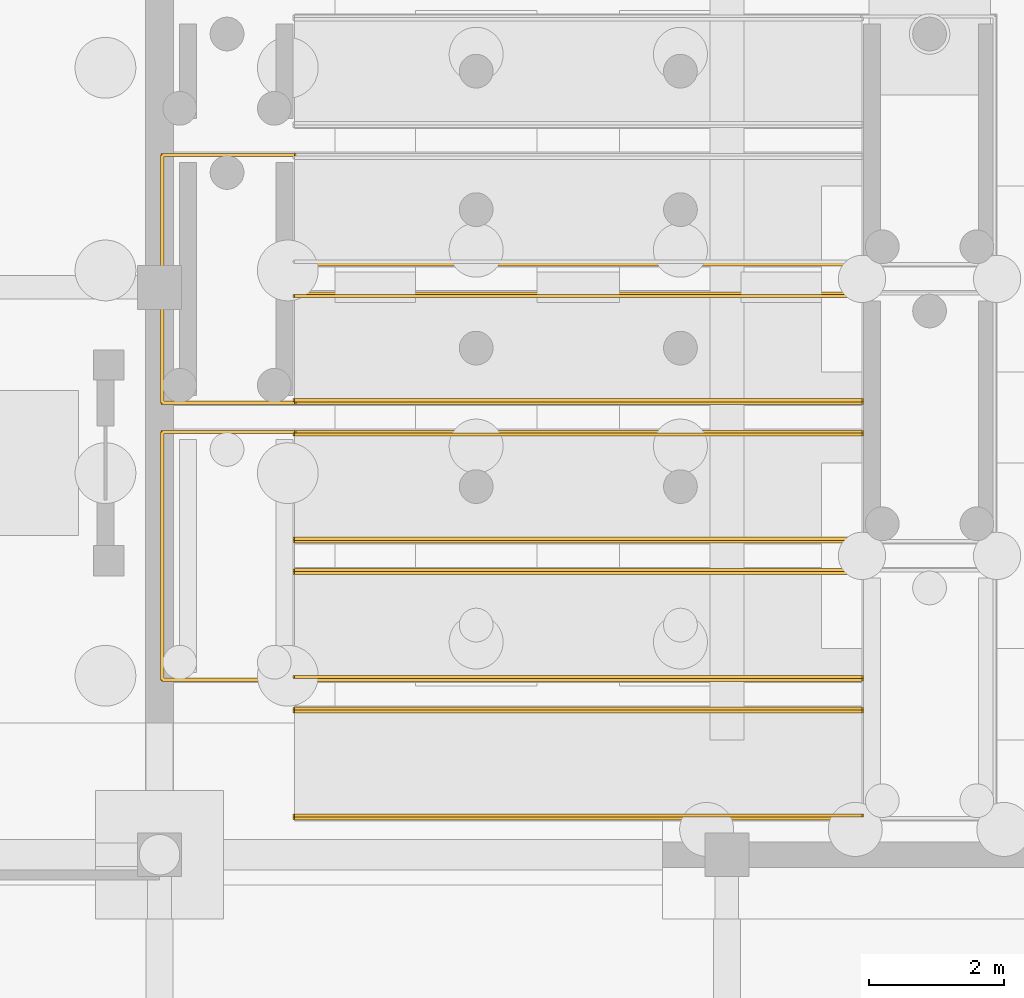
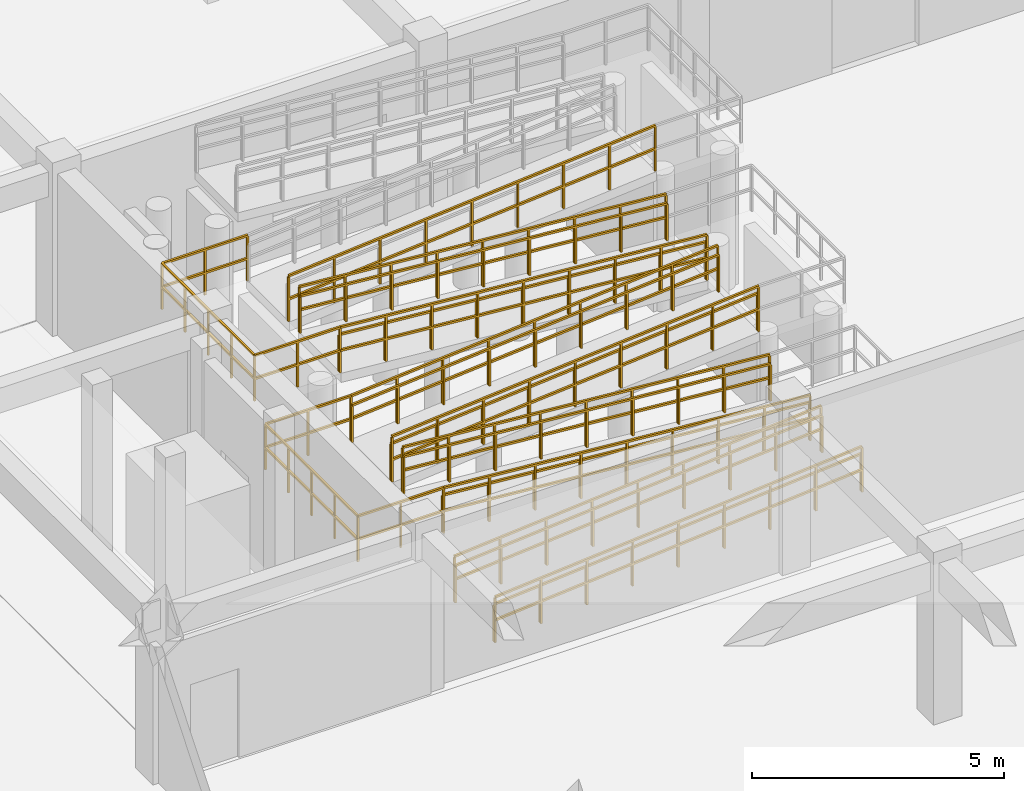
# One storey, part 34 of 40: 19 railings.
"""IFC4 building model written with IfcOpenShell, lengths in metres."""

from ifc_helpers import new_model, si_unit, direction, frame, origin, origin_2d, place, context, subcontext, project, spatial, rectangle, extrude, material, type_object, element, save


model = new_model("IFC4")

# Units and contexts
model_context = context("Model", 3, precision=1e-05, world=origin(), true_north=direction((0.0, 1.0)))
body_context = subcontext(model_context, "Body", "Model", "MODEL_VIEW")
ifc_project = project(units=[si_unit("LENGTHUNIT", "METRE"), si_unit("AREAUNIT", "SQUARE_METRE"), si_unit("VOLUMEUNIT", "CUBIC_METRE"), si_unit("PLANEANGLEUNIT", "RADIAN"), si_unit("MASSUNIT", "GRAM", prefix="KILO"), si_unit("THERMODYNAMICTEMPERATUREUNIT", "KELVIN")], contexts=[model_context])

# Site, building, storey
site_placement = place(None, origin())
site = spatial("IfcSite", under=ifc_project, at=site_placement, CompositionType="ELEMENT")
building_placement = place(site_placement, origin())
building = spatial("IfcBuilding", under=site, at=building_placement, Name="Thalorik Housing Commons", CompositionType="ELEMENT")
storey_placement = place(building_placement, frame((0.0, 0.0, -4.199951171875)))
storey = spatial("IfcBuildingStorey", under=building, at=storey_placement, Name="B1", CompositionType="ELEMENT", Elevation=-4.199951171875)

# Railings
ifc_material = material(Name="Steel S355", Category="steel")
railing_type_1 = type_object("IfcRailingType", Name="ARC-RL-RAMP-092", PredefinedType="HANDRAIL", material=ifc_material)
for number, where, name in (
    (1, (30.800048828125, 58.179931640625, 0.0), "Metro Ramp Flight 1 S Handrail"),
    (2, (30.800048828125, 59.719970703125, 0.0), "Metro Ramp Flight 1 N Handrail"),
):
    element("IfcRailing", number, at=place(storey_placement, frame(where)), inside=storey, type_object=railing_type_1, Name=name, PredefinedType="HANDRAIL", context=body_context, shape_type="SweptSolid", body=[
        extrude(rectangle(XDim=0.048095703125, YDim=0.048095703125, at=origin_2d()), frame((0.0, 0.0, 0.89599609375), z_axis=(0.996546157741, 0.0, 0.08304068576), x_axis=(0.0, 1.0, 0.0)), (0.0, 0.0, 1.0), 8.428955078125),
        extrude(rectangle(XDim=0.0419921875, YDim=0.0419921875, at=origin_2d()), origin(), (0.0, 0.0, 1.0), 0.871826171875),
        extrude(rectangle(XDim=0.0419921875, YDim=0.0419921875, at=origin_2d()), frame((1.050048828125, 0.0, 0.08740234375)), (0.0, 0.0, 1.0), 0.871826171875),
        extrude(rectangle(XDim=0.0419921875, YDim=0.0419921875, at=origin_2d()), frame((2.10009765625, 0.0, 0.175048828125)), (0.0, 0.0, 1.0), 0.871826171875),
        extrude(rectangle(XDim=0.0419921875, YDim=0.0419921875, at=origin_2d()), frame((3.14990234375, 0.0, 0.262451171875)), (0.0, 0.0, 1.0), 0.871826171875),
        extrude(rectangle(XDim=0.0419921875, YDim=0.0419921875, at=origin_2d()), frame((4.199951171875, 0.0, 0.35009765625)), (0.0, 0.0, 1.0), 0.871826171875),
        extrude(rectangle(XDim=0.0419921875, YDim=0.0419921875, at=origin_2d()), frame((5.25, 0.0, 0.4375)), (0.0, 0.0, 1.0), 0.871826171875),
        extrude(rectangle(XDim=0.0419921875, YDim=0.0419921875, at=origin_2d()), frame((6.2998046875, 0.0, 0.52490234375)), (0.0, 0.0, 1.0), 0.871826171875),
        extrude(rectangle(XDim=0.0419921875, YDim=0.0419921875, at=origin_2d()), frame((7.349853515625, 0.0, 0.612548828125)), (0.0, 0.0, 1.0), 0.871826171875),
        extrude(rectangle(XDim=0.0419921875, YDim=0.0419921875, at=origin_2d()), frame((8.39990234375, 0.0, 0.699951171875)), (0.0, 0.0, 1.0), 0.871826171875),
    ])
for number, where, name in (
    (3, (39.199951171875, 60.22998046875, 0.699951171875), "Metro Ramp Flight 2 S Handrail"),
    (4, (39.199951171875, 61.77001953125, 0.699951171875), "Metro Ramp Flight 2 N Handrail"),
):
    element("IfcRailing", number, at=place(storey_placement, frame(where)), inside=storey, type_object=railing_type_1, Name=name, PredefinedType="HANDRAIL", context=body_context, shape_type="SweptSolid", body=[
        extrude(rectangle(XDim=0.048095703125, YDim=0.048095703125, at=origin_2d()), frame((0.0, 0.0, 0.89599609375), z_axis=(-0.996546157741, 0.0, 0.08304068576), x_axis=(0.0, -1.0, 0.0)), (0.0, 0.0, 1.0), 8.428955078125),
        extrude(rectangle(XDim=0.0419921875, YDim=0.0419921875, at=origin_2d()), origin(), (0.0, 0.0, 1.0), 0.871826171875),
        extrude(rectangle(XDim=0.0419921875, YDim=0.0419921875, at=origin_2d()), frame((-1.050048828125, 0.0, 0.08740234375)), (0.0, 0.0, 1.0), 0.871826171875),
        extrude(rectangle(XDim=0.0419921875, YDim=0.0419921875, at=origin_2d()), frame((-2.10009765625, 0.0, 0.175048828125)), (0.0, 0.0, 1.0), 0.871826171875),
        extrude(rectangle(XDim=0.0419921875, YDim=0.0419921875, at=origin_2d()), frame((-3.14990234375, 0.0, 0.262451171875)), (0.0, 0.0, 1.0), 0.871826171875),
        extrude(rectangle(XDim=0.0419921875, YDim=0.0419921875, at=origin_2d()), frame((-4.199951171875, 0.0, 0.35009765625)), (0.0, 0.0, 1.0), 0.871826171875),
        extrude(rectangle(XDim=0.0419921875, YDim=0.0419921875, at=origin_2d()), frame((-5.25, 0.0, 0.4375)), (0.0, 0.0, 1.0), 0.871826171875),
        extrude(rectangle(XDim=0.0419921875, YDim=0.0419921875, at=origin_2d()), frame((-6.2998046875, 0.0, 0.52490234375)), (0.0, 0.0, 1.0), 0.871826171875),
        extrude(rectangle(XDim=0.0419921875, YDim=0.0419921875, at=origin_2d()), frame((-7.349853515625, 0.0, 0.612548828125)), (0.0, 0.0, 1.0), 0.871826171875),
        extrude(rectangle(XDim=0.0419921875, YDim=0.0419921875, at=origin_2d()), frame((-8.39990234375, 0.0, 0.699951171875)), (0.0, 0.0, 1.0), 0.871826171875),
    ])
for number, where, name in (
    (5, (30.800048828125, 62.280029296875, 1.39990234375), "Metro Ramp Flight 3 S Handrail"),
    (6, (30.800048828125, 63.820068359375, 1.39990234375), "Metro Ramp Flight 3 N Handrail"),
):
    element("IfcRailing", number, at=place(storey_placement, frame(where)), inside=storey, type_object=railing_type_1, Name=name, PredefinedType="HANDRAIL", context=body_context, shape_type="SweptSolid", body=[
        extrude(rectangle(XDim=0.048095703125, YDim=0.048095703125, at=origin_2d()), frame((0.0, 0.0, 0.89599609375), z_axis=(0.996546157741, 0.0, 0.08304068576), x_axis=(0.0, 1.0, 0.0)), (0.0, 0.0, 1.0), 8.428955078125),
        extrude(rectangle(XDim=0.0419921875, YDim=0.0419921875, at=origin_2d()), origin(), (0.0, 0.0, 1.0), 0.871826171875),
        extrude(rectangle(XDim=0.0419921875, YDim=0.0419921875, at=origin_2d()), frame((1.050048828125, 0.0, 0.08740234375)), (0.0, 0.0, 1.0), 0.871826171875),
        extrude(rectangle(XDim=0.0419921875, YDim=0.0419921875, at=origin_2d()), frame((2.10009765625, 0.0, 0.175048828125)), (0.0, 0.0, 1.0), 0.871826171875),
        extrude(rectangle(XDim=0.0419921875, YDim=0.0419921875, at=origin_2d()), frame((3.14990234375, 0.0, 0.262451171875)), (0.0, 0.0, 1.0), 0.871826171875),
        extrude(rectangle(XDim=0.0419921875, YDim=0.0419921875, at=origin_2d()), frame((4.199951171875, 0.0, 0.35009765625)), (0.0, 0.0, 1.0), 0.871826171875),
        extrude(rectangle(XDim=0.0419921875, YDim=0.0419921875, at=origin_2d()), frame((5.25, 0.0, 0.4375)), (0.0, 0.0, 1.0), 0.871826171875),
        extrude(rectangle(XDim=0.0419921875, YDim=0.0419921875, at=origin_2d()), frame((6.2998046875, 0.0, 0.52490234375)), (0.0, 0.0, 1.0), 0.871826171875),
        extrude(rectangle(XDim=0.0419921875, YDim=0.0419921875, at=origin_2d()), frame((7.349853515625, 0.0, 0.612548828125)), (0.0, 0.0, 1.0), 0.871826171875),
        extrude(rectangle(XDim=0.0419921875, YDim=0.0419921875, at=origin_2d()), frame((8.39990234375, 0.0, 0.699951171875)), (0.0, 0.0, 1.0), 0.871826171875),
    ])
for number, where, name in (
    (7, (39.199951171875, 64.330078125, 2.099853515625), "Metro Ramp Flight 4 S Handrail"),
    (8, (39.199951171875, 65.8701171875, 2.099853515625), "Metro Ramp Flight 4 N Handrail"),
):
    element("IfcRailing", number, at=place(storey_placement, frame(where)), inside=storey, type_object=railing_type_1, Name=name, PredefinedType="HANDRAIL", context=body_context, shape_type="SweptSolid", body=[
        extrude(rectangle(XDim=0.048095703125, YDim=0.048095703125, at=origin_2d()), frame((0.0, 0.0, 0.89599609375), z_axis=(-0.996543760423, 0.0, 0.083069450238), x_axis=(0.0, -1.0, 0.0)), (0.0, 0.0, 1.0), 8.428955078125),
        extrude(rectangle(XDim=0.0419921875, YDim=0.0419921875, at=origin_2d()), origin(), (0.0, 0.0, 1.0), 0.871826171875),
        extrude(rectangle(XDim=0.0419921875, YDim=0.0419921875, at=origin_2d()), frame((-1.050048828125, 0.0, 0.08740234375)), (0.0, 0.0, 1.0), 0.871826171875),
        extrude(rectangle(XDim=0.0419921875, YDim=0.0419921875, at=origin_2d()), frame((-2.10009765625, 0.0, 0.175048828125)), (0.0, 0.0, 1.0), 0.871826171875),
        extrude(rectangle(XDim=0.0419921875, YDim=0.0419921875, at=origin_2d()), frame((-3.14990234375, 0.0, 0.2626953125)), (0.0, 0.0, 1.0), 0.871826171875),
        extrude(rectangle(XDim=0.0419921875, YDim=0.0419921875, at=origin_2d()), frame((-4.199951171875, 0.0, 0.35009765625)), (0.0, 0.0, 1.0), 0.871826171875),
        extrude(rectangle(XDim=0.0419921875, YDim=0.0419921875, at=origin_2d()), frame((-5.25, 0.0, 0.4375)), (0.0, 0.0, 1.0), 0.871826171875),
        extrude(rectangle(XDim=0.0419921875, YDim=0.0419921875, at=origin_2d()), frame((-6.2998046875, 0.0, 0.525146484375)), (0.0, 0.0, 1.0), 0.871826171875),
        extrude(rectangle(XDim=0.0419921875, YDim=0.0419921875, at=origin_2d()), frame((-7.349853515625, 0.0, 0.61279296875)), (0.0, 0.0, 1.0), 0.871826171875),
        extrude(rectangle(XDim=0.0419921875, YDim=0.0419921875, at=origin_2d()), frame((-8.39990234375, 0.0, 0.7001953125)), (0.0, 0.0, 1.0), 0.871826171875),
    ])
railing_type_2 = type_object("IfcRailingType", Name="ARC-RL-VOID-112", PredefinedType="GUARDRAIL", material=ifc_material)
railing_1_placement = place(storey_placement, frame((30.800048828125, 58.139892578125, 0.0)))
element("IfcRailing", 9, at=railing_1_placement, inside=storey, type_object=railing_type_2, Name="Metro Ramp Flight 1 S Guardrail", PredefinedType="GUARDRAIL", context=body_context, shape_type="SweptSolid", body=[
    extrude(rectangle(XDim=0.048095703125, YDim=0.048095703125, at=origin_2d()), frame((0.0, 0.0, 1.09619140625), z_axis=(0.996546157741, 0.0, 0.08304068576), x_axis=(0.0, 1.0, 0.0)), (0.0, 0.0, 1.0), 8.428955078125),
    extrude(rectangle(XDim=0.048095703125, YDim=0.048095703125, at=origin_2d()), frame((0.0, 0.0, 0.5361328125), z_axis=(0.996546157741, 0.0, 0.08304068576), x_axis=(0.0, 1.0, 0.0)), (0.0, 0.0, 1.0), 8.428955078125),
    extrude(rectangle(XDim=0.0419921875, YDim=0.0419921875, at=origin_2d()), origin(), (0.0, 0.0, 1.0), 1.072021484375),
    extrude(rectangle(XDim=0.0419921875, YDim=0.0419921875, at=origin_2d()), frame((1.050048828125, 0.0, 0.08740234375)), (0.0, 0.0, 1.0), 1.072021484375),
    extrude(rectangle(XDim=0.0419921875, YDim=0.0419921875, at=origin_2d()), frame((2.10009765625, 0.0, 0.175048828125)), (0.0, 0.0, 1.0), 1.072021484375),
    extrude(rectangle(XDim=0.0419921875, YDim=0.0419921875, at=origin_2d()), frame((3.14990234375, 0.0, 0.262451171875)), (0.0, 0.0, 1.0), 1.072021484375),
    extrude(rectangle(XDim=0.0419921875, YDim=0.0419921875, at=origin_2d()), frame((4.199951171875, 0.0, 0.35009765625)), (0.0, 0.0, 1.0), 1.072021484375),
    extrude(rectangle(XDim=0.0419921875, YDim=0.0419921875, at=origin_2d()), frame((5.25, 0.0, 0.4375)), (0.0, 0.0, 1.0), 1.072021484375),
    extrude(rectangle(XDim=0.0419921875, YDim=0.0419921875, at=origin_2d()), frame((6.2998046875, 0.0, 0.52490234375)), (0.0, 0.0, 1.0), 1.072021484375),
    extrude(rectangle(XDim=0.0419921875, YDim=0.0419921875, at=origin_2d()), frame((7.349853515625, 0.0, 0.612548828125)), (0.0, 0.0, 1.0), 1.072021484375),
    extrude(rectangle(XDim=0.0419921875, YDim=0.0419921875, at=origin_2d()), frame((8.39990234375, 0.0, 0.699951171875)), (0.0, 0.0, 1.0), 1.072021484375),
])
railing_2_placement = place(storey_placement, frame((30.800048828125, 59.760009765625, 0.0)))
element("IfcRailing", 10, at=railing_2_placement, inside=storey, type_object=railing_type_2, Name="Metro Ramp Flight 1 N Guardrail", PredefinedType="GUARDRAIL", context=body_context, shape_type="SweptSolid", body=[
    extrude(rectangle(XDim=0.048095703125, YDim=0.048095703125, at=origin_2d()), frame((0.0, 0.0, 1.09619140625), z_axis=(0.996546157741, 0.0, 0.08304068576), x_axis=(0.0, 1.0, 0.0)), (0.0, 0.0, 1.0), 8.428955078125),
    extrude(rectangle(XDim=0.048095703125, YDim=0.048095703125, at=origin_2d()), frame((0.0, 0.0, 0.5361328125), z_axis=(0.996546157741, 0.0, 0.08304068576), x_axis=(0.0, 1.0, 0.0)), (0.0, 0.0, 1.0), 8.428955078125),
    extrude(rectangle(XDim=0.0419921875, YDim=0.0419921875, at=origin_2d()), origin(), (0.0, 0.0, 1.0), 1.072021484375),
    extrude(rectangle(XDim=0.0419921875, YDim=0.0419921875, at=origin_2d()), frame((1.050048828125, 0.0, 0.08740234375)), (0.0, 0.0, 1.0), 1.072021484375),
    extrude(rectangle(XDim=0.0419921875, YDim=0.0419921875, at=origin_2d()), frame((2.10009765625, 0.0, 0.175048828125)), (0.0, 0.0, 1.0), 1.072021484375),
    extrude(rectangle(XDim=0.0419921875, YDim=0.0419921875, at=origin_2d()), frame((3.14990234375, 0.0, 0.262451171875)), (0.0, 0.0, 1.0), 1.072021484375),
    extrude(rectangle(XDim=0.0419921875, YDim=0.0419921875, at=origin_2d()), frame((4.199951171875, 0.0, 0.35009765625)), (0.0, 0.0, 1.0), 1.072021484375),
    extrude(rectangle(XDim=0.0419921875, YDim=0.0419921875, at=origin_2d()), frame((5.25, 0.0, 0.4375)), (0.0, 0.0, 1.0), 1.072021484375),
    extrude(rectangle(XDim=0.0419921875, YDim=0.0419921875, at=origin_2d()), frame((6.2998046875, 0.0, 0.52490234375)), (0.0, 0.0, 1.0), 1.072021484375),
    extrude(rectangle(XDim=0.0419921875, YDim=0.0419921875, at=origin_2d()), frame((7.349853515625, 0.0, 0.612548828125)), (0.0, 0.0, 1.0), 1.072021484375),
    extrude(rectangle(XDim=0.0419921875, YDim=0.0419921875, at=origin_2d()), frame((8.39990234375, 0.0, 0.699951171875)), (0.0, 0.0, 1.0), 1.072021484375),
])
railing_3_placement = place(storey_placement, frame((39.199951171875, 60.18994140625, 0.699951171875)))
element("IfcRailing", 11, at=railing_3_placement, inside=storey, type_object=railing_type_2, Name="Metro Ramp Flight 2 S Guardrail", PredefinedType="GUARDRAIL", context=body_context, shape_type="SweptSolid", body=[
    extrude(rectangle(XDim=0.048095703125, YDim=0.048095703125, at=origin_2d()), frame((0.0, 0.0, 1.09619140625), z_axis=(-0.996546157741, 0.0, 0.08304068576), x_axis=(0.0, -1.0, 0.0)), (0.0, 0.0, 1.0), 8.428955078125),
    extrude(rectangle(XDim=0.048095703125, YDim=0.048095703125, at=origin_2d()), frame((0.0, 0.0, 0.5361328125), z_axis=(-0.996546157741, 0.0, 0.08304068576), x_axis=(0.0, -1.0, 0.0)), (0.0, 0.0, 1.0), 8.428955078125),
    extrude(rectangle(XDim=0.0419921875, YDim=0.0419921875, at=origin_2d()), origin(), (0.0, 0.0, 1.0), 1.072021484375),
    extrude(rectangle(XDim=0.0419921875, YDim=0.0419921875, at=origin_2d()), frame((-1.050048828125, 0.0, 0.08740234375)), (0.0, 0.0, 1.0), 1.072021484375),
    extrude(rectangle(XDim=0.0419921875, YDim=0.0419921875, at=origin_2d()), frame((-2.10009765625, 0.0, 0.175048828125)), (0.0, 0.0, 1.0), 1.072021484375),
    extrude(rectangle(XDim=0.0419921875, YDim=0.0419921875, at=origin_2d()), frame((-3.14990234375, 0.0, 0.262451171875)), (0.0, 0.0, 1.0), 1.072021484375),
    extrude(rectangle(XDim=0.0419921875, YDim=0.0419921875, at=origin_2d()), frame((-4.199951171875, 0.0, 0.35009765625)), (0.0, 0.0, 1.0), 1.072021484375),
    extrude(rectangle(XDim=0.0419921875, YDim=0.0419921875, at=origin_2d()), frame((-5.25, 0.0, 0.4375)), (0.0, 0.0, 1.0), 1.072021484375),
    extrude(rectangle(XDim=0.0419921875, YDim=0.0419921875, at=origin_2d()), frame((-6.2998046875, 0.0, 0.52490234375)), (0.0, 0.0, 1.0), 1.072021484375),
    extrude(rectangle(XDim=0.0419921875, YDim=0.0419921875, at=origin_2d()), frame((-7.349853515625, 0.0, 0.612548828125)), (0.0, 0.0, 1.0), 1.072021484375),
    extrude(rectangle(XDim=0.0419921875, YDim=0.0419921875, at=origin_2d()), frame((-8.39990234375, 0.0, 0.699951171875)), (0.0, 0.0, 1.0), 1.072021484375),
])
railing_4_placement = place(storey_placement, frame((39.199951171875, 61.81005859375, 0.699951171875)))
element("IfcRailing", 12, at=railing_4_placement, inside=storey, type_object=railing_type_2, Name="Metro Ramp Flight 2 N Guardrail", PredefinedType="GUARDRAIL", context=body_context, shape_type="SweptSolid", body=[
    extrude(rectangle(XDim=0.048095703125, YDim=0.048095703125, at=origin_2d()), frame((0.0, 0.0, 1.09619140625), z_axis=(-0.996546157741, 0.0, 0.08304068576), x_axis=(0.0, -1.0, 0.0)), (0.0, 0.0, 1.0), 8.428955078125),
    extrude(rectangle(XDim=0.048095703125, YDim=0.048095703125, at=origin_2d()), frame((0.0, 0.0, 0.5361328125), z_axis=(-0.996546157741, 0.0, 0.08304068576), x_axis=(0.0, -1.0, 0.0)), (0.0, 0.0, 1.0), 8.428955078125),
    extrude(rectangle(XDim=0.0419921875, YDim=0.0419921875, at=origin_2d()), origin(), (0.0, 0.0, 1.0), 1.072021484375),
    extrude(rectangle(XDim=0.0419921875, YDim=0.0419921875, at=origin_2d()), frame((-1.050048828125, 0.0, 0.08740234375)), (0.0, 0.0, 1.0), 1.072021484375),
    extrude(rectangle(XDim=0.0419921875, YDim=0.0419921875, at=origin_2d()), frame((-2.10009765625, 0.0, 0.175048828125)), (0.0, 0.0, 1.0), 1.072021484375),
    extrude(rectangle(XDim=0.0419921875, YDim=0.0419921875, at=origin_2d()), frame((-3.14990234375, 0.0, 0.262451171875)), (0.0, 0.0, 1.0), 1.072021484375),
    extrude(rectangle(XDim=0.0419921875, YDim=0.0419921875, at=origin_2d()), frame((-4.199951171875, 0.0, 0.35009765625)), (0.0, 0.0, 1.0), 1.072021484375),
    extrude(rectangle(XDim=0.0419921875, YDim=0.0419921875, at=origin_2d()), frame((-5.25, 0.0, 0.4375)), (0.0, 0.0, 1.0), 1.072021484375),
    extrude(rectangle(XDim=0.0419921875, YDim=0.0419921875, at=origin_2d()), frame((-6.2998046875, 0.0, 0.52490234375)), (0.0, 0.0, 1.0), 1.072021484375),
    extrude(rectangle(XDim=0.0419921875, YDim=0.0419921875, at=origin_2d()), frame((-7.349853515625, 0.0, 0.612548828125)), (0.0, 0.0, 1.0), 1.072021484375),
    extrude(rectangle(XDim=0.0419921875, YDim=0.0419921875, at=origin_2d()), frame((-8.39990234375, 0.0, 0.699951171875)), (0.0, 0.0, 1.0), 1.072021484375),
])
railing_5_placement = place(storey_placement, frame((30.800048828125, 62.239990234375, 1.39990234375)))
element("IfcRailing", 13, at=railing_5_placement, inside=storey, type_object=railing_type_2, Name="Metro Ramp Flight 3 S Guardrail", PredefinedType="GUARDRAIL", context=body_context, shape_type="SweptSolid", body=[
    extrude(rectangle(XDim=0.048095703125, YDim=0.048095703125, at=origin_2d()), frame((0.0, 0.0, 1.09619140625), z_axis=(0.996546157741, 0.0, 0.08304068576), x_axis=(0.0, 1.0, 0.0)), (0.0, 0.0, 1.0), 8.428955078125),
    extrude(rectangle(XDim=0.048095703125, YDim=0.048095703125, at=origin_2d()), frame((0.0, 0.0, 0.5361328125), z_axis=(0.996546157741, 0.0, 0.08304068576), x_axis=(0.0, 1.0, 0.0)), (0.0, 0.0, 1.0), 8.428955078125),
    extrude(rectangle(XDim=0.0419921875, YDim=0.0419921875, at=origin_2d()), origin(), (0.0, 0.0, 1.0), 1.072021484375),
    extrude(rectangle(XDim=0.0419921875, YDim=0.0419921875, at=origin_2d()), frame((1.050048828125, 0.0, 0.08740234375)), (0.0, 0.0, 1.0), 1.072021484375),
    extrude(rectangle(XDim=0.0419921875, YDim=0.0419921875, at=origin_2d()), frame((2.10009765625, 0.0, 0.175048828125)), (0.0, 0.0, 1.0), 1.072021484375),
    extrude(rectangle(XDim=0.0419921875, YDim=0.0419921875, at=origin_2d()), frame((3.14990234375, 0.0, 0.262451171875)), (0.0, 0.0, 1.0), 1.072021484375),
    extrude(rectangle(XDim=0.0419921875, YDim=0.0419921875, at=origin_2d()), frame((4.199951171875, 0.0, 0.35009765625)), (0.0, 0.0, 1.0), 1.072021484375),
    extrude(rectangle(XDim=0.0419921875, YDim=0.0419921875, at=origin_2d()), frame((5.25, 0.0, 0.4375)), (0.0, 0.0, 1.0), 1.072021484375),
    extrude(rectangle(XDim=0.0419921875, YDim=0.0419921875, at=origin_2d()), frame((6.2998046875, 0.0, 0.52490234375)), (0.0, 0.0, 1.0), 1.072021484375),
    extrude(rectangle(XDim=0.0419921875, YDim=0.0419921875, at=origin_2d()), frame((7.349853515625, 0.0, 0.612548828125)), (0.0, 0.0, 1.0), 1.072021484375),
    extrude(rectangle(XDim=0.0419921875, YDim=0.0419921875, at=origin_2d()), frame((8.39990234375, 0.0, 0.699951171875)), (0.0, 0.0, 1.0), 1.072021484375),
])
railing_6_placement = place(storey_placement, frame((30.800048828125, 63.860107421875, 1.39990234375)))
element("IfcRailing", 14, at=railing_6_placement, inside=storey, type_object=railing_type_2, Name="Metro Ramp Flight 3 N Guardrail", PredefinedType="GUARDRAIL", context=body_context, shape_type="SweptSolid", body=[
    extrude(rectangle(XDim=0.048095703125, YDim=0.048095703125, at=origin_2d()), frame((0.0, 0.0, 1.09619140625), z_axis=(0.996546157741, 0.0, 0.08304068576), x_axis=(0.0, 1.0, 0.0)), (0.0, 0.0, 1.0), 8.428955078125),
    extrude(rectangle(XDim=0.048095703125, YDim=0.048095703125, at=origin_2d()), frame((0.0, 0.0, 0.5361328125), z_axis=(0.996546157741, 0.0, 0.08304068576), x_axis=(0.0, 1.0, 0.0)), (0.0, 0.0, 1.0), 8.428955078125),
    extrude(rectangle(XDim=0.0419921875, YDim=0.0419921875, at=origin_2d()), origin(), (0.0, 0.0, 1.0), 1.072021484375),
    extrude(rectangle(XDim=0.0419921875, YDim=0.0419921875, at=origin_2d()), frame((1.050048828125, 0.0, 0.08740234375)), (0.0, 0.0, 1.0), 1.072021484375),
    extrude(rectangle(XDim=0.0419921875, YDim=0.0419921875, at=origin_2d()), frame((2.10009765625, 0.0, 0.175048828125)), (0.0, 0.0, 1.0), 1.072021484375),
    extrude(rectangle(XDim=0.0419921875, YDim=0.0419921875, at=origin_2d()), frame((3.14990234375, 0.0, 0.262451171875)), (0.0, 0.0, 1.0), 1.072021484375),
    extrude(rectangle(XDim=0.0419921875, YDim=0.0419921875, at=origin_2d()), frame((4.199951171875, 0.0, 0.35009765625)), (0.0, 0.0, 1.0), 1.072021484375),
    extrude(rectangle(XDim=0.0419921875, YDim=0.0419921875, at=origin_2d()), frame((5.25, 0.0, 0.4375)), (0.0, 0.0, 1.0), 1.072021484375),
    extrude(rectangle(XDim=0.0419921875, YDim=0.0419921875, at=origin_2d()), frame((6.2998046875, 0.0, 0.52490234375)), (0.0, 0.0, 1.0), 1.072021484375),
    extrude(rectangle(XDim=0.0419921875, YDim=0.0419921875, at=origin_2d()), frame((7.349853515625, 0.0, 0.612548828125)), (0.0, 0.0, 1.0), 1.072021484375),
    extrude(rectangle(XDim=0.0419921875, YDim=0.0419921875, at=origin_2d()), frame((8.39990234375, 0.0, 0.699951171875)), (0.0, 0.0, 1.0), 1.072021484375),
])
railing_7_placement = place(storey_placement, frame((39.199951171875, 64.2900390625, 2.099853515625)))
element("IfcRailing", 15, at=railing_7_placement, inside=storey, type_object=railing_type_2, Name="Metro Ramp Flight 4 S Guardrail", PredefinedType="GUARDRAIL", context=body_context, shape_type="SweptSolid", body=[
    extrude(rectangle(XDim=0.048095703125, YDim=0.048095703125, at=origin_2d()), frame((0.0, 0.0, 1.09619140625), z_axis=(-0.996543760423, 0.0, 0.083069450238), x_axis=(0.0, -1.0, 0.0)), (0.0, 0.0, 1.0), 8.428955078125),
    extrude(rectangle(XDim=0.048095703125, YDim=0.048095703125, at=origin_2d()), frame((0.0, 0.0, 0.5361328125), z_axis=(-0.996543760423, 0.0, 0.083069450238), x_axis=(0.0, -1.0, 0.0)), (0.0, 0.0, 1.0), 8.428955078125),
    extrude(rectangle(XDim=0.0419921875, YDim=0.0419921875, at=origin_2d()), origin(), (0.0, 0.0, 1.0), 1.072021484375),
    extrude(rectangle(XDim=0.0419921875, YDim=0.0419921875, at=origin_2d()), frame((-1.050048828125, 0.0, 0.08740234375)), (0.0, 0.0, 1.0), 1.072021484375),
    extrude(rectangle(XDim=0.0419921875, YDim=0.0419921875, at=origin_2d()), frame((-2.10009765625, 0.0, 0.175048828125)), (0.0, 0.0, 1.0), 1.072021484375),
    extrude(rectangle(XDim=0.0419921875, YDim=0.0419921875, at=origin_2d()), frame((-3.14990234375, 0.0, 0.2626953125)), (0.0, 0.0, 1.0), 1.072021484375),
    extrude(rectangle(XDim=0.0419921875, YDim=0.0419921875, at=origin_2d()), frame((-4.199951171875, 0.0, 0.35009765625)), (0.0, 0.0, 1.0), 1.072021484375),
    extrude(rectangle(XDim=0.0419921875, YDim=0.0419921875, at=origin_2d()), frame((-5.25, 0.0, 0.4375)), (0.0, 0.0, 1.0), 1.072021484375),
    extrude(rectangle(XDim=0.0419921875, YDim=0.0419921875, at=origin_2d()), frame((-6.2998046875, 0.0, 0.525146484375)), (0.0, 0.0, 1.0), 1.072021484375),
    extrude(rectangle(XDim=0.0419921875, YDim=0.0419921875, at=origin_2d()), frame((-7.349853515625, 0.0, 0.61279296875)), (0.0, 0.0, 1.0), 1.072021484375),
    extrude(rectangle(XDim=0.0419921875, YDim=0.0419921875, at=origin_2d()), frame((-8.39990234375, 0.0, 0.7001953125)), (0.0, 0.0, 1.0), 1.072021484375),
])
railing_8_placement = place(storey_placement, frame((39.199951171875, 65.909912109375, 2.099853515625)))
element("IfcRailing", 16, at=railing_8_placement, inside=storey, type_object=railing_type_2, Name="Metro Ramp Flight 4 N Guardrail", PredefinedType="GUARDRAIL", context=body_context, shape_type="SweptSolid", body=[
    extrude(rectangle(XDim=0.048095703125, YDim=0.048095703125, at=origin_2d()), frame((0.0, 0.0, 1.09619140625), z_axis=(-0.996543760423, 0.0, 0.083069450238), x_axis=(0.0, -1.0, 0.0)), (0.0, 0.0, 1.0), 8.428955078125),
    extrude(rectangle(XDim=0.048095703125, YDim=0.048095703125, at=origin_2d()), frame((0.0, 0.0, 0.5361328125), z_axis=(-0.996543760423, 0.0, 0.083069450238), x_axis=(0.0, -1.0, 0.0)), (0.0, 0.0, 1.0), 8.428955078125),
    extrude(rectangle(XDim=0.0419921875, YDim=0.0419921875, at=origin_2d()), origin(), (0.0, 0.0, 1.0), 1.072021484375),
    extrude(rectangle(XDim=0.0419921875, YDim=0.0419921875, at=origin_2d()), frame((-1.050048828125, 0.0, 0.08740234375)), (0.0, 0.0, 1.0), 1.072021484375),
    extrude(rectangle(XDim=0.0419921875, YDim=0.0419921875, at=origin_2d()), frame((-2.10009765625, 0.0, 0.175048828125)), (0.0, 0.0, 1.0), 1.072021484375),
    extrude(rectangle(XDim=0.0419921875, YDim=0.0419921875, at=origin_2d()), frame((-3.14990234375, 0.0, 0.2626953125)), (0.0, 0.0, 1.0), 1.072021484375),
    extrude(rectangle(XDim=0.0419921875, YDim=0.0419921875, at=origin_2d()), frame((-4.199951171875, 0.0, 0.35009765625)), (0.0, 0.0, 1.0), 1.072021484375),
    extrude(rectangle(XDim=0.0419921875, YDim=0.0419921875, at=origin_2d()), frame((-5.25, 0.0, 0.4375)), (0.0, 0.0, 1.0), 1.072021484375),
    extrude(rectangle(XDim=0.0419921875, YDim=0.0419921875, at=origin_2d()), frame((-6.2998046875, 0.0, 0.525146484375)), (0.0, 0.0, 1.0), 1.072021484375),
    extrude(rectangle(XDim=0.0419921875, YDim=0.0419921875, at=origin_2d()), frame((-7.349853515625, 0.0, 0.61279296875)), (0.0, 0.0, 1.0), 1.072021484375),
    extrude(rectangle(XDim=0.0419921875, YDim=0.0419921875, at=origin_2d()), frame((-8.39990234375, 0.0, 0.7001953125)), (0.0, 0.0, 1.0), 1.072021484375),
])
railing_9_placement = place(storey_placement, frame((30.800048828125, 66.340087890625, 2.800048828125)))
element("IfcRailing", 17, at=railing_9_placement, inside=storey, type_object=railing_type_2, Name="Metro Ramp Flight 5 S Guardrail", PredefinedType="GUARDRAIL", context=body_context, shape_type="SweptSolid", body=[
    extrude(rectangle(XDim=0.048095703125, YDim=0.048095703125, at=origin_2d()), frame((0.0, 0.0, 1.09619140625), z_axis=(0.996546157741, 0.0, 0.08304068576), x_axis=(0.0, 1.0, 0.0)), (0.0, 0.0, 1.0), 8.428955078125),
    extrude(rectangle(XDim=0.048095703125, YDim=0.048095703125, at=origin_2d()), frame((0.0, 0.0, 0.5361328125), z_axis=(0.996546157741, 0.0, 0.08304068576), x_axis=(0.0, 1.0, 0.0)), (0.0, 0.0, 1.0), 8.428955078125),
    extrude(rectangle(XDim=0.0419921875, YDim=0.0419921875, at=origin_2d()), origin(), (0.0, 0.0, 1.0), 1.072021484375),
    extrude(rectangle(XDim=0.0419921875, YDim=0.0419921875, at=origin_2d()), frame((1.050048828125, 0.0, 0.08740234375)), (0.0, 0.0, 1.0), 1.072021484375),
    extrude(rectangle(XDim=0.0419921875, YDim=0.0419921875, at=origin_2d()), frame((2.10009765625, 0.0, 0.175048828125)), (0.0, 0.0, 1.0), 1.072021484375),
    extrude(rectangle(XDim=0.0419921875, YDim=0.0419921875, at=origin_2d()), frame((3.14990234375, 0.0, 0.262451171875)), (0.0, 0.0, 1.0), 1.072021484375),
    extrude(rectangle(XDim=0.0419921875, YDim=0.0419921875, at=origin_2d()), frame((4.199951171875, 0.0, 0.35009765625)), (0.0, 0.0, 1.0), 1.072021484375),
    extrude(rectangle(XDim=0.0419921875, YDim=0.0419921875, at=origin_2d()), frame((5.25, 0.0, 0.4375)), (0.0, 0.0, 1.0), 1.072021484375),
    extrude(rectangle(XDim=0.0419921875, YDim=0.0419921875, at=origin_2d()), frame((6.2998046875, 0.0, 0.52490234375)), (0.0, 0.0, 1.0), 1.072021484375),
    extrude(rectangle(XDim=0.0419921875, YDim=0.0419921875, at=origin_2d()), frame((7.349853515625, 0.0, 0.612548828125)), (0.0, 0.0, 1.0), 1.072021484375),
    extrude(rectangle(XDim=0.0419921875, YDim=0.0419921875, at=origin_2d()), frame((8.39990234375, 0.0, 0.699951171875)), (0.0, 0.0, 1.0), 1.072021484375),
])
railing_10_placement = place(storey_placement, frame((30.800048828125, 60.18994140625, 1.39990234375)))
element("IfcRailing", 18, at=railing_10_placement, inside=storey, type_object=railing_type_2, Name="Metro Ramp Landing 2 Guardrail", PredefinedType="GUARDRAIL", context=body_context, shape_type="SweptSolid", body=[
    extrude(rectangle(XDim=0.048095703125, YDim=0.048095703125, at=origin_2d()), frame((0.0, 0.0, 1.09619140625), z_axis=(-1.0, 0.0, 0.0), x_axis=(0.0, -1.0, 0.0)), (0.0, 0.0, 1.0), 1.9599609375),
    extrude(rectangle(XDim=0.048095703125, YDim=0.048095703125, at=origin_2d()), frame((0.0, 0.0, 0.5361328125), z_axis=(-1.0, 0.0, 0.0), x_axis=(0.0, -1.0, 0.0)), (0.0, 0.0, 1.0), 1.9599609375),
    extrude(rectangle(XDim=0.048095703125, YDim=0.048095703125, at=origin_2d()), frame((-1.9599609375, 0.0, 1.09619140625), z_axis=(0.0, 1.0, 0.0), x_axis=(-1.0, 0.0, 0.0)), (0.0, 0.0, 1.0), 3.670166015625),
    extrude(rectangle(XDim=0.048095703125, YDim=0.048095703125, at=origin_2d()), frame((-1.9599609375, 0.0, 0.5361328125), z_axis=(0.0, 1.0, 0.0), x_axis=(-1.0, 0.0, 0.0)), (0.0, 0.0, 1.0), 3.670166015625),
    extrude(rectangle(XDim=0.048095703125, YDim=0.048095703125, at=origin_2d()), frame((-1.9599609375, 3.670166015625, 1.09619140625), z_axis=(1.0, 0.0, 0.0), x_axis=(0.0, 1.0, 0.0)), (0.0, 0.0, 1.0), 1.9599609375),
    extrude(rectangle(XDim=0.048095703125, YDim=0.048095703125, at=origin_2d()), frame((-1.9599609375, 3.670166015625, 0.5361328125), z_axis=(1.0, 0.0, 0.0), x_axis=(0.0, 1.0, 0.0)), (0.0, 0.0, 1.0), 1.9599609375),
    extrude(rectangle(XDim=0.0419921875, YDim=0.0419921875, at=origin_2d()), origin(), (0.0, 0.0, 1.0), 1.072021484375),
    extrude(rectangle(XDim=0.0419921875, YDim=0.0419921875, at=origin_2d()), frame((-0.97998046875, 0.0, 0.0)), (0.0, 0.0, 1.0), 1.072021484375),
    extrude(rectangle(XDim=0.0419921875, YDim=0.0419921875, at=origin_2d()), frame((-1.9599609375, 0.0, 0.0)), (0.0, 0.0, 1.0), 1.072021484375),
    extrude(rectangle(XDim=0.0419921875, YDim=0.0419921875, at=origin_2d()), frame((-1.9599609375, 0.91748046875, 0.0)), (0.0, 0.0, 1.0), 1.072021484375),
    extrude(rectangle(XDim=0.0419921875, YDim=0.0419921875, at=origin_2d()), frame((-1.9599609375, 1.8349609375, 0.0)), (0.0, 0.0, 1.0), 1.072021484375),
    extrude(rectangle(XDim=0.0419921875, YDim=0.0419921875, at=origin_2d()), frame((-1.9599609375, 2.752685546875, 0.0)), (0.0, 0.0, 1.0), 1.072021484375),
    extrude(rectangle(XDim=0.0419921875, YDim=0.0419921875, at=origin_2d()), frame((-1.9599609375, 3.670166015625, 0.0)), (0.0, 0.0, 1.0), 1.072021484375),
    extrude(rectangle(XDim=0.0419921875, YDim=0.0419921875, at=origin_2d()), frame((-0.97998046875, 3.670166015625, 0.0)), (0.0, 0.0, 1.0), 1.072021484375),
    extrude(rectangle(XDim=0.0419921875, YDim=0.0419921875, at=origin_2d()), frame((0.0, 3.670166015625, 0.0)), (0.0, 0.0, 1.0), 1.072021484375),
])
railing_11_placement = place(storey_placement, frame((30.800048828125, 64.2900390625, 2.800048828125)))
element("IfcRailing", 19, at=railing_11_placement, inside=storey, type_object=railing_type_2, Name="Metro Ramp Landing 4 Guardrail", PredefinedType="GUARDRAIL", context=body_context, shape_type="SweptSolid", body=[
    extrude(rectangle(XDim=0.048095703125, YDim=0.048095703125, at=origin_2d()), frame((0.0, 0.0, 1.09619140625), z_axis=(-1.0, 0.0, 0.0), x_axis=(0.0, -1.0, 0.0)), (0.0, 0.0, 1.0), 1.9599609375),
    extrude(rectangle(XDim=0.048095703125, YDim=0.048095703125, at=origin_2d()), frame((0.0, 0.0, 0.5361328125), z_axis=(-1.0, 0.0, 0.0), x_axis=(0.0, -1.0, 0.0)), (0.0, 0.0, 1.0), 1.9599609375),
    extrude(rectangle(XDim=0.048095703125, YDim=0.048095703125, at=origin_2d()), frame((-1.9599609375, 0.0, 1.09619140625), z_axis=(0.0, 1.0, 0.0), x_axis=(-1.0, 0.0, 0.0)), (0.0, 0.0, 1.0), 3.669921875),
    extrude(rectangle(XDim=0.048095703125, YDim=0.048095703125, at=origin_2d()), frame((-1.9599609375, 0.0, 0.5361328125), z_axis=(0.0, 1.0, 0.0), x_axis=(-1.0, 0.0, 0.0)), (0.0, 0.0, 1.0), 3.669921875),
    extrude(rectangle(XDim=0.048095703125, YDim=0.048095703125, at=origin_2d()), frame((-1.9599609375, 3.669921875, 1.09619140625), z_axis=(1.0, 0.0, 0.0), x_axis=(0.0, 1.0, 0.0)), (0.0, 0.0, 1.0), 1.9599609375),
    extrude(rectangle(XDim=0.048095703125, YDim=0.048095703125, at=origin_2d()), frame((-1.9599609375, 3.669921875, 0.5361328125), z_axis=(1.0, 0.0, 0.0), x_axis=(0.0, 1.0, 0.0)), (0.0, 0.0, 1.0), 1.9599609375),
    extrude(rectangle(XDim=0.0419921875, YDim=0.0419921875, at=origin_2d()), origin(), (0.0, 0.0, 1.0), 1.072021484375),
    extrude(rectangle(XDim=0.0419921875, YDim=0.0419921875, at=origin_2d()), frame((-0.97998046875, 0.0, 0.0)), (0.0, 0.0, 1.0), 1.072021484375),
    extrude(rectangle(XDim=0.0419921875, YDim=0.0419921875, at=origin_2d()), frame((-1.9599609375, 0.0, 0.0)), (0.0, 0.0, 1.0), 1.072021484375),
    extrude(rectangle(XDim=0.0419921875, YDim=0.0419921875, at=origin_2d()), frame((-1.9599609375, 0.91748046875, 0.0)), (0.0, 0.0, 1.0), 1.072021484375),
    extrude(rectangle(XDim=0.0419921875, YDim=0.0419921875, at=origin_2d()), frame((-1.9599609375, 1.8349609375, 0.0)), (0.0, 0.0, 1.0), 1.072021484375),
    extrude(rectangle(XDim=0.0419921875, YDim=0.0419921875, at=origin_2d()), frame((-1.9599609375, 2.75244140625, 0.0)), (0.0, 0.0, 1.0), 1.072021484375),
    extrude(rectangle(XDim=0.0419921875, YDim=0.0419921875, at=origin_2d()), frame((-1.9599609375, 3.669921875, 0.0)), (0.0, 0.0, 1.0), 1.072021484375),
    extrude(rectangle(XDim=0.0419921875, YDim=0.0419921875, at=origin_2d()), frame((-0.97998046875, 3.669921875, 0.0)), (0.0, 0.0, 1.0), 1.072021484375),
    extrude(rectangle(XDim=0.0419921875, YDim=0.0419921875, at=origin_2d()), frame((0.0, 3.669921875, 0.0)), (0.0, 0.0, 1.0), 1.072021484375),
])

save(model, "model.ifc")
